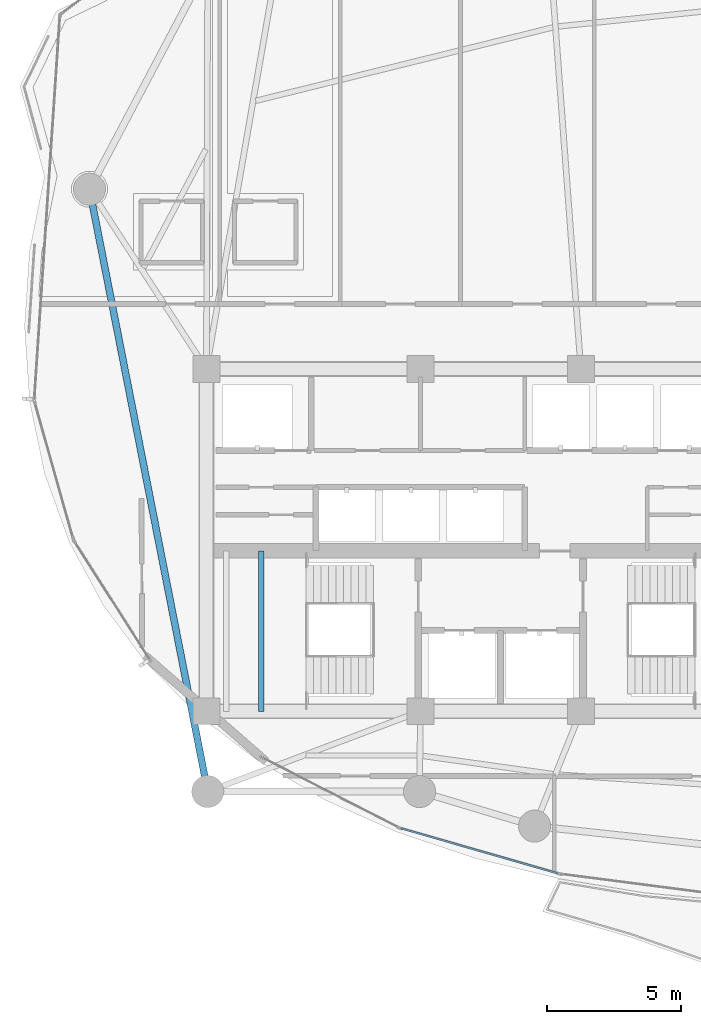
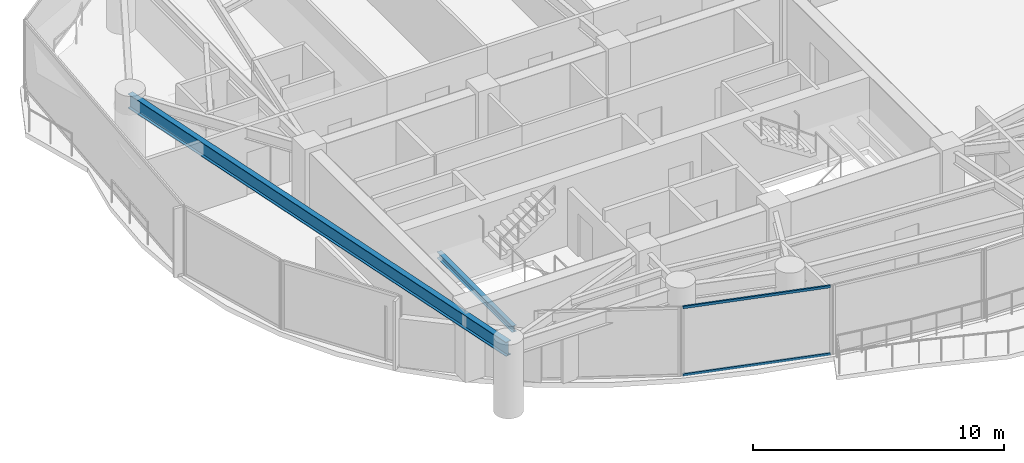
# One storey, part 4 of 30: 2 beams, 2 members, 1 element without a shape of its own.
"""IFC4 building model written with IfcOpenShell, lengths in metres."""

from ifc_helpers import new_model, si_unit, direction, frame, origin, origin_2d, place, context, subcontext, project, spatial, hollow_rectangle, i_section, extrude, material, layer, layer_set, material_profile, profile_set, type_object, element, aggregate, save


model = new_model("IFC4")

# Units and contexts
model_context = context("Model", 3, precision=1e-05, world=origin(), true_north=direction((0.0, 1.0)))
body_context = subcontext(model_context, "Body", "Model", "MODEL_VIEW")
ifc_project = project(units=[si_unit("LENGTHUNIT", "METRE"), si_unit("AREAUNIT", "SQUARE_METRE"), si_unit("VOLUMEUNIT", "CUBIC_METRE"), si_unit("PLANEANGLEUNIT", "RADIAN"), si_unit("MASSUNIT", "GRAM", prefix="KILO")], contexts=[model_context])

# Site, building, storey
site_placement = place(None, origin())
site = spatial("IfcSite", under=ifc_project, at=site_placement, CompositionType="ELEMENT")
building_placement = place(site_placement, origin())
building = spatial("IfcBuilding", under=site, at=building_placement, Name="Kazevale Care Tower and Concert Hall", CompositionType="ELEMENT")
storey_placement = place(building_placement, frame((0.0, 0.0, 131.39990234375)))
storey = spatial("IfcBuildingStorey", under=building, at=storey_placement, Name="L34", CompositionType="ELEMENT", Elevation=131.39990234375)

# Curtain wall, members
ifc_material_1 = material(Name="Aluminium 6063-T6 and Low-E Glass", Category="aluminium")
ifc_layer = layer(ifc_material_1, 0.179931640625)
ifc_layer_set = layer_set([ifc_layer], Name="Aluminium 6063-T6 and Low-E Glass")
curtain_wall_type = type_object("IfcCurtainWallType", Name="Sheltered Concave Balcony Curtain Wall CW-5", PredefinedType="NOTDEFINED", material=ifc_layer_set)
curtain_wall_placement = place(storey_placement, origin())
curtain_wall = element("IfcCurtainWall", 1, at=curtain_wall_placement, inside=storey, type_object=curtain_wall_type, Name="cw:L34:f08", PredefinedType="NOTDEFINED")
ifc_material_2 = material(Name="Aluminium 6063-T6", Category="aluminium")
ifc_material_profile_1 = material_profile(ifc_material_2, hollow_rectangle(XDim=0.074951171875, YDim=0.1201171875, WallThickness=0.00390625, at=origin_2d()), Name="ALU75x120x4")
ifc_profile_set_1 = profile_set([ifc_material_profile_1], Name="Aluminium 6063-T6")
member_type = type_object("IfcMemberType", Name="CW-5 Transom ALU75x120x4", PredefinedType="USERDEFINED", material=ifc_profile_set_1)
member_1_placement = place(storey_placement, frame((35.121826171875, 17.545654296875, 0.03759765625), z_axis=(-0.961067703236, 0.276312992451, 0.0), x_axis=(-0.276312992451, -0.961067703236, 0.0)))
member_1 = element("IfcMember", 2, at=member_1_placement, type_object=member_type, Name="CW-5 transom 1.1", ObjectType="TRANSOM", PredefinedType="USERDEFINED", context=body_context, shape_type="SweptSolid", body=[
    extrude(hollow_rectangle(XDim=0.074951171875, YDim=0.1201171875, WallThickness=0.00390625, at=origin_2d()), origin(), (0.0, 0.0, 1.0), 6.075439453125),
])
member_2_placement = place(storey_placement, frame((35.121826171875, 17.545654296875, 3.322509765625), z_axis=(-0.961067703236, 0.276312992451, 0.0), x_axis=(-0.276312992451, -0.961067703236, 0.0)))
member_2 = element("IfcMember", 3, at=member_2_placement, type_object=member_type, Name="CW-5 transom 1.2", ObjectType="TRANSOM", PredefinedType="USERDEFINED", context=body_context, shape_type="SweptSolid", body=[
    extrude(hollow_rectangle(XDim=0.074951171875, YDim=0.1201171875, WallThickness=0.00390625, at=origin_2d()), origin(), (0.0, 0.0, 1.0), 6.075439453125),
])
aggregate(curtain_wall, [member_1, member_2])

# Beams
ifc_material_3 = material(Name="Steel ASTM A572 Gr 50", Category="steel")
ifc_material_profile_2 = material_profile(ifc_material_3, i_section(OverallWidth=0.202880859375, OverallDepth=0.302978515625, WebThickness=0.007568359375, FlangeThickness=0.01318359375, at=origin_2d()), Name="W310x60")
ifc_profile_set_2 = profile_set([ifc_material_profile_2], Name="Steel ASTM A572 Gr 50")
beam_type_1 = type_object("IfcBeamType", Name="Stair & Balcony Trimmer W310x60", PredefinedType="BEAM", material=ifc_profile_set_2)
beam_1_placement = place(storey_placement, frame((24.050048828125, 23.60009765625, 1.448486328125), z_axis=(0.0, 1.0, 0.0), x_axis=(-1.0, 0.0, 0.0)))
element("IfcBeam", 4, at=beam_1_placement, inside=storey, type_object=beam_type_1, Name="beam:L34:sttrim:ST1b", PredefinedType="BEAM", context=body_context, shape_type="SweptSolid", body=[
    extrude(i_section(OverallWidth=0.202880859375, OverallDepth=0.302978515625, WebThickness=0.007568359375, FlangeThickness=0.01318359375, at=origin_2d()), origin(), (0.0, 0.0, 1.0), 6.0),
])
ifc_material_profile_3 = material_profile(ifc_material_3, i_section(OverallWidth=0.256103515625, OverallDepth=0.693115234375, WebThickness=0.014404296875, FlangeThickness=0.023681640625, at=origin_2d()), Name="W690x170")
ifc_profile_set_3 = profile_set([ifc_material_profile_3], Name="Steel ASTM A572 Gr 50")
beam_type_2 = type_object("IfcBeamType", Name="Waist Ring Beam W690x170", PredefinedType="BEAM", material=ifc_profile_set_3)
beam_2_placement = place(storey_placement, frame((17.6298828125, 43.1201171875, 3.013671875), z_axis=(0.192602267784, -0.9812769061, 0.0), x_axis=(0.9812769061, 0.192602267784, 0.0)))
element("IfcBeam", 5, at=beam_2_placement, inside=storey, type_object=beam_type_2, Name="beam:L34:ring:09", PredefinedType="BEAM", context=body_context, shape_type="SweptSolid", body=[
    extrude(i_section(OverallWidth=0.256103515625, OverallDepth=0.693115234375, WebThickness=0.014404296875, FlangeThickness=0.023681640625, at=origin_2d()), origin(), (0.0, 0.0, 1.0), 22.94970703125),
])

save(model, "model.ifc")
